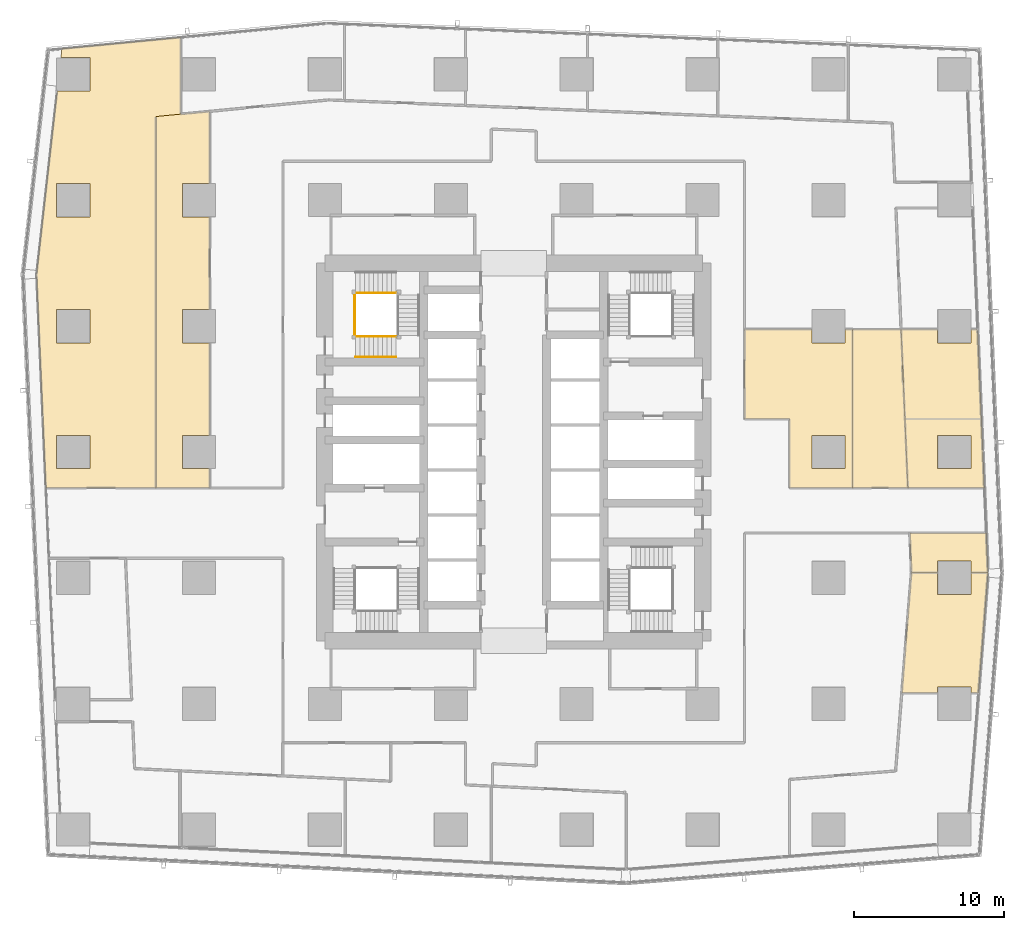
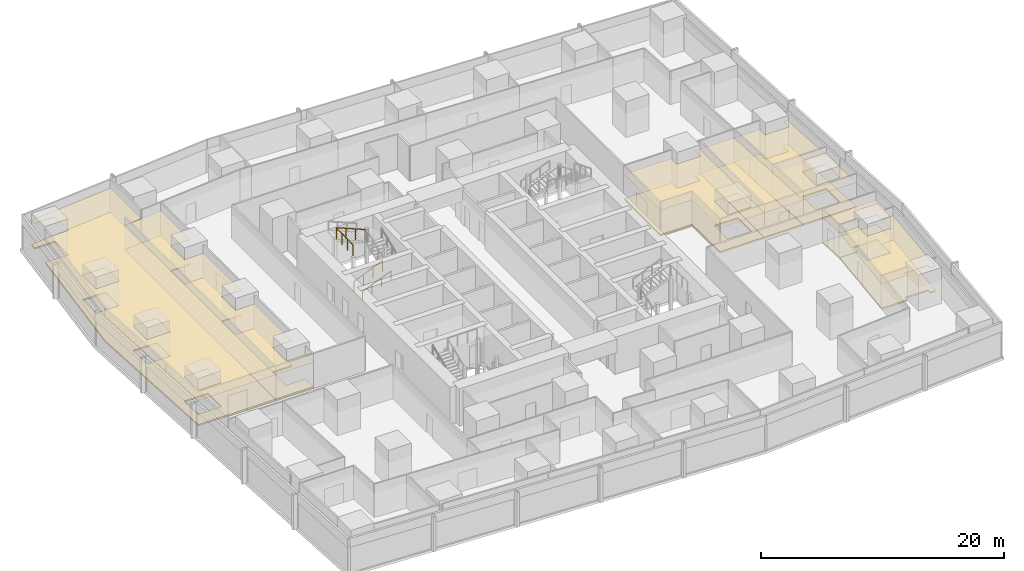
# One storey, part 40 of 44: 14 coverings, 4 railings.
"""IFC4 building model written with IfcOpenShell, lengths in metres."""

from ifc_helpers import new_model, si_unit, direction, frame, origin, origin_2d, place, context, subcontext, project, spatial, polyline, circle, outline, extrude, material, layer, layer_set, type_object, element, save


model = new_model("IFC4")

# Units and contexts
model_context = context("Model", 3, precision=1e-05, world=origin(), true_north=direction((0.0, 1.0)))
body_context = subcontext(model_context, "Body", "Model", "MODEL_VIEW")
ifc_project = project(units=[si_unit("LENGTHUNIT", "METRE"), si_unit("AREAUNIT", "SQUARE_METRE"), si_unit("VOLUMEUNIT", "CUBIC_METRE"), si_unit("PLANEANGLEUNIT", "RADIAN"), si_unit("MASSUNIT", "GRAM", prefix="KILO")], contexts=[model_context])

# Site, building, storey
site_placement = place(None, origin())
site = spatial("IfcSite", under=ifc_project, at=site_placement, CompositionType="ELEMENT")
building_placement = place(site_placement, origin())
building = spatial("IfcBuilding", under=site, at=building_placement, Name="Rekha Terrace Tower", CompositionType="ELEMENT")
storey_placement = place(building_placement, frame((0.0, 0.0, 62.89990234375)))
storey = spatial("IfcBuildingStorey", under=building, at=storey_placement, Name="L15", CompositionType="ELEMENT", Elevation=62.89990234375)

# Coverings
ifc_material_1 = material(Name="Mineral fibre tile in exposed grid", Category="finish")
ifc_layer_1 = layer(ifc_material_1, 0.02001953125)
ifc_layer_set_1 = layer_set([ifc_layer_1], Name="Mineral fibre tile in exposed grid")
covering_type_1 = type_object("IfcCoveringType", Name="CL1 600x1200 office grid ceiling", PredefinedType="CEILING", material=ifc_layer_set_1)
covering_1_placement = place(storey_placement, frame((0.0, 0.0, 2.580078125)))
element("IfcCovering", 1, at=covering_1_placement, inside=storey, type_object=covering_type_1, Name="Ceiling L15-04", PredefinedType="CEILING", context=body_context, shape_type="SweptSolid", body=[
    extrude(outline(polyline([(68.31494140625, 17.52392578125), (68.803955078125, 17.52392578125), (69.44091796875, 25.551025390625), (68.31494140625, 25.551025390625), (68.31494140625, 24.0849609375), (66.0849609375, 24.0849609375), (66.0849609375, 25.551025390625), (64.324951171875, 25.551025390625), (63.68798828125, 17.52392578125), (66.0849609375, 17.52392578125), (66.0849609375, 17.9150390625), (68.31494140625, 17.9150390625), (68.31494140625, 17.52392578125)])), origin(), (0.0, 0.0, 1.0), 0.02001953125),
])
covering_2_placement = place(storey_placement, frame((0.0, 0.0, 2.580078125)))
element("IfcCovering", 2, at=covering_2_placement, inside=storey, type_object=covering_type_1, Name="Ceiling L15-05", PredefinedType="CEILING", context=body_context, shape_type="SweptSolid", body=[
    extrude(outline(polyline([(69.43701171875, 25.552001953125), (69.322998046875, 28.199951171875), (64.218994140625, 28.199951171875), (64.33203125, 25.552001953125), (66.0849609375, 25.552001953125), (66.0849609375, 26.31494140625), (68.31494140625, 26.31494140625), (68.31494140625, 25.552001953125), (69.43701171875, 25.552001953125)])), origin(), (0.0, 0.0, 1.0), 0.02001953125),
])
covering_3_placement = place(storey_placement, frame((0.0, 0.0, 2.580078125)))
element("IfcCovering", 3, at=covering_3_placement, inside=storey, type_object=covering_type_1, Name="Ceiling L15-11", PredefinedType="CEILING", context=body_context, shape_type="SweptSolid", body=[
    extrude(outline(polyline([(69.195068359375, 31.199951171875), (68.9990234375, 35.797119140625), (68.742919921875, 41.781005859375), (68.31494140625, 41.781005859375), (68.31494140625, 40.885009765625), (66.0849609375, 40.885009765625), (66.0849609375, 41.781005859375), (63.638916015625, 41.781005859375), (63.89404296875, 35.797119140625), (64.091064453125, 31.199951171875), (69.195068359375, 31.199951171875)]), holes=[polyline([(68.31494140625, 32.485107421875), (66.0849609375, 32.485107421875), (66.0849609375, 34.715087890625), (68.31494140625, 34.715087890625), (68.31494140625, 32.485107421875)])]), origin(), (0.0, 0.0, 1.0), 0.02001953125),
])
covering_4_placement = place(storey_placement, frame((0.0, 0.0, 2.580078125)))
element("IfcCovering", 4, at=covering_4_placement, inside=storey, type_object=covering_type_1, Name="Ceiling L15-12", PredefinedType="CEILING", context=body_context, shape_type="SweptSolid", body=[
    extrude(outline(polyline([(57.68505859375, 40.885009765625), (57.68505859375, 41.781005859375), (53.199951171875, 41.781005859375), (53.199951171875, 35.800048828125), (56.199951171875, 35.800048828125), (56.199951171875, 31.199951171875), (60.39990234375, 31.199951171875), (60.39990234375, 41.781005859375), (59.9150390625, 41.781005859375), (59.9150390625, 40.885009765625), (57.68505859375, 40.885009765625)]), holes=[polyline([(59.9150390625, 32.485107421875), (57.68505859375, 32.485107421875), (57.68505859375, 34.715087890625), (59.9150390625, 34.715087890625), (59.9150390625, 32.485107421875)])]), origin(), (0.0, 0.0, 1.0), 0.02001953125),
])
covering_5_placement = place(storey_placement, frame((0.0, 0.0, 2.580078125)))
element("IfcCovering", 5, at=covering_5_placement, inside=storey, type_object=covering_type_1, Name="Ceiling L15-O2", PredefinedType="CEILING", context=body_context, shape_type="SweptSolid", body=[
    extrude(outline(polyline([(64.091064453125, 31.199951171875), (63.89404296875, 35.798095703125), (63.638916015625, 41.781005859375), (60.39990234375, 41.781005859375), (60.39990234375, 31.199951171875), (64.091064453125, 31.199951171875)])), origin(), (0.0, 0.0, 1.0), 0.02001953125),
])
covering_6_placement = place(storey_placement, frame((0.0, 0.0, 2.580078125)))
element("IfcCovering", 6, at=covering_6_placement, inside=storey, type_object=covering_type_1, Name="Ceiling L15-21", PredefinedType="CEILING", context=body_context, shape_type="SweptSolid", body=[
    extrude(outline(polyline([(7.337890625, 57.68505859375), (5.958984375, 45.412109375), (5.964111328125, 45.412109375), (6.385009765625, 35.798095703125), (6.5859375, 31.199951171875), (13.9169921875, 31.199951171875), (13.9169921875, 55.97998046875), (15.572021484375, 56.138916015625), (15.572021484375, 61.261962890625), (7.655029296875, 60.5009765625), (7.589111328125, 59.9150390625), (9.514892578125, 59.9150390625), (9.514892578125, 57.68505859375), (7.337890625, 57.68505859375)]), holes=[polyline([(9.514892578125, 32.485107421875), (7.284912109375, 32.485107421875), (7.284912109375, 34.715087890625), (9.514892578125, 34.715087890625), (9.514892578125, 32.485107421875)]), polyline([(9.514892578125, 40.885009765625), (7.284912109375, 40.885009765625), (7.284912109375, 43.114990234375), (9.514892578125, 43.114990234375), (9.514892578125, 40.885009765625)]), polyline([(9.514892578125, 51.514892578125), (9.514892578125, 49.284912109375), (7.284912109375, 49.284912109375), (7.284912109375, 51.514892578125), (9.514892578125, 51.514892578125)])]), origin(), (0.0, 0.0, 1.0), 0.02001953125),
])
covering_7_placement = place(storey_placement, frame((0.0, 0.0, 2.580078125)))
element("IfcCovering", 7, at=covering_7_placement, inside=storey, type_object=covering_type_1, Name="Ceiling L15-22", PredefinedType="CEILING", context=body_context, shape_type="SweptSolid", body=[
    extrude(outline(polyline([(17.51708984375, 56.325927734375), (15.824951171875, 56.1630859375), (13.9169921875, 55.97998046875), (13.9169921875, 31.199951171875), (17.51708984375, 31.199951171875), (17.51708984375, 32.485107421875), (15.68505859375, 32.485107421875), (15.68505859375, 34.715087890625), (17.51708984375, 34.715087890625), (17.51708984375, 40.885009765625), (15.68505859375, 40.885009765625), (15.68505859375, 43.114990234375), (17.51708984375, 43.114990234375), (17.51708984375, 49.284912109375), (15.68505859375, 49.284912109375), (15.68505859375, 51.514892578125), (17.51708984375, 51.514892578125), (17.51708984375, 56.325927734375)])), origin(), (0.0, 0.0, 1.0), 0.02001953125),
])

# Railings
ifc_material_2 = material(Name="Stainless steel balustrade", Category="steel")
railing_type_1 = type_object("IfcRailingType", Name="GR1 1100 stair guard", PredefinedType="GUARDRAIL", material=ifc_material_2)
railing_1_placement = place(storey_placement, frame((27.25, 41.31494140625, 0.125)))
element("IfcRailing", 8, at=railing_1_placement, inside=storey, type_object=railing_type_1, Name="Guard ST4 L15 flight 1", PredefinedType="GUARDRAIL", context=body_context, shape_type="SweptSolid", body=[
    extrude(circle(Radius=0.02392578125, at=origin_2d()), frame((0.0, 0.0, 1.076171875), z_axis=(0.923074453586, 0.0, 0.384621311341), x_axis=(0.0, 1.0, 0.0)), (0.0, 0.0, 1.0), 2.925048828125),
    extrude(circle(Radius=0.02099609375, at=origin_2d()), origin(), (0.0, 0.0, 1.0), 1.052001953125),
    extrude(circle(Radius=0.02099609375, at=origin_2d()), frame((0.89990234375, 0.0, 0.375)), (0.0, 0.0, 1.0), 1.052001953125),
    extrude(circle(Radius=0.02099609375, at=origin_2d()), frame((1.800048828125, 0.0, 0.75)), (0.0, 0.0, 1.0), 1.052001953125),
    extrude(circle(Radius=0.02099609375, at=origin_2d()), frame((2.699951171875, 0.0, 1.125)), (0.0, 0.0, 1.0), 1.052001953125),
])
railing_2_placement = place(storey_placement, frame((29.949951171875, 44.2099609375, 2.625)))
element("IfcRailing", 9, at=railing_2_placement, inside=storey, type_object=railing_type_1, Name="Guard ST4 L15 flight 3", PredefinedType="GUARDRAIL", context=body_context, shape_type="SweptSolid", body=[
    extrude(circle(Radius=0.02392578125, at=origin_2d()), frame((0.0, 0.0, 1.076171875), z_axis=(-0.923074453586, 0.0, 0.384621311341), x_axis=(0.0, -1.0, 0.0)), (0.0, 0.0, 1.0), 2.925048828125),
    extrude(circle(Radius=0.02099609375, at=origin_2d()), origin(), (0.0, 0.0, 1.0), 1.052001953125),
    extrude(circle(Radius=0.02099609375, at=origin_2d()), frame((-0.89990234375, 0.0, 0.375)), (0.0, 0.0, 1.0), 1.052001953125),
    extrude(circle(Radius=0.02099609375, at=origin_2d()), frame((-1.800048828125, 0.0, 0.75)), (0.0, 0.0, 1.0), 1.052001953125),
    extrude(circle(Radius=0.02099609375, at=origin_2d()), frame((-2.699951171875, 0.0, 1.125)), (0.0, 0.0, 1.0), 1.052001953125),
])
railing_3_placement = place(storey_placement, frame((27.18994140625, 41.375, 3.75)))
element("IfcRailing", 10, at=railing_3_placement, inside=storey, type_object=railing_type_1, Name="Guard ST4 L15 landing 4", PredefinedType="GUARDRAIL", context=body_context, shape_type="SweptSolid", body=[
    extrude(circle(Radius=0.02392578125, at=origin_2d()), frame((0.0, 0.0, 1.076171875), z_axis=(0.0, 1.0, 0.0), x_axis=(-1.0, 0.0, 0.0)), (0.0, 0.0, 1.0), 2.77490234375),
    extrude(circle(Radius=0.02099609375, at=origin_2d()), origin(), (0.0, 0.0, 1.0), 1.052001953125),
    extrude(circle(Radius=0.02099609375, at=origin_2d()), frame((0.0, 0.925048828125, 0.0)), (0.0, 0.0, 1.0), 1.052001953125),
    extrude(circle(Radius=0.02099609375, at=origin_2d()), frame((0.0, 1.849853515625, 0.0)), (0.0, 0.0, 1.0), 1.052001953125),
    extrude(circle(Radius=0.02099609375, at=origin_2d()), frame((0.0, 2.77490234375, 0.0)), (0.0, 0.0, 1.0), 1.052001953125),
])
ifc_material_3 = material(Name="Stainless steel tube", Category="steel")
railing_type_2 = type_object("IfcRailingType", Name="HR1 900 stair handrail", PredefinedType="HANDRAIL", material=ifc_material_3)
railing_4_placement = place(storey_placement, frame((27.25, 39.93505859375, 0.125)))
element("IfcRailing", 11, at=railing_4_placement, inside=storey, type_object=railing_type_2, Name="Handrail ST4 L15 flight 1", PredefinedType="HANDRAIL", context=body_context, shape_type="SweptSolid", body=[
    extrude(circle(Radius=0.02392578125, at=origin_2d()), frame((0.0, 0.0, 0.8759765625), z_axis=(0.923074453586, 0.0, 0.384621311341), x_axis=(0.0, 1.0, 0.0)), (0.0, 0.0, 1.0), 2.925048828125),
    extrude(circle(Radius=0.02099609375, at=origin_2d()), origin(), (0.0, 0.0, 1.0), 0.851806640625),
    extrude(circle(Radius=0.02099609375, at=origin_2d()), frame((0.89990234375, 0.0, 0.375)), (0.0, 0.0, 1.0), 0.851806640625),
    extrude(circle(Radius=0.02099609375, at=origin_2d()), frame((1.800048828125, 0.0, 0.75)), (0.0, 0.0, 1.0), 0.851806640625),
    extrude(circle(Radius=0.02099609375, at=origin_2d()), frame((2.699951171875, 0.0, 1.125)), (0.0, 0.0, 1.0), 0.851806640625),
])

# Coverings
ifc_material_4 = material(Name="Calcium sulphate panels on steel pedestals", Category="steel")
ifc_layer_2 = layer(ifc_material_4, 0.14990234375)
ifc_layer_set_2 = layer_set([ifc_layer_2], Name="Calcium sulphate panels on steel pedestals")
covering_type_2 = type_object("IfcCoveringType", Name="RF1 150 raised access floor", PredefinedType="FLOORING", material=ifc_layer_set_2)
covering_8_placement = place(storey_placement, origin())
element("IfcCovering", 12, at=covering_8_placement, inside=storey, type_object=covering_type_2, Name="Raised floor L15-04", PredefinedType="FLOORING", context=body_context, shape_type="SweptSolid", body=[
    extrude(outline(polyline([(68.31494140625, 17.52392578125), (68.803955078125, 17.52392578125), (69.44091796875, 25.551025390625), (68.31494140625, 25.551025390625), (68.31494140625, 24.0849609375), (66.0849609375, 24.0849609375), (66.0849609375, 25.551025390625), (64.324951171875, 25.551025390625), (63.68798828125, 17.52392578125), (66.0849609375, 17.52392578125), (66.0849609375, 17.9150390625), (68.31494140625, 17.9150390625), (68.31494140625, 17.52392578125)])), origin(), (0.0, 0.0, 1.0), 0.150146484375),
])
covering_9_placement = place(storey_placement, origin())
element("IfcCovering", 13, at=covering_9_placement, inside=storey, type_object=covering_type_2, Name="Raised floor L15-05", PredefinedType="FLOORING", context=body_context, shape_type="SweptSolid", body=[
    extrude(outline(polyline([(69.43701171875, 25.552001953125), (69.322998046875, 28.199951171875), (64.218994140625, 28.199951171875), (64.33203125, 25.552001953125), (66.0849609375, 25.552001953125), (66.0849609375, 26.31494140625), (68.31494140625, 26.31494140625), (68.31494140625, 25.552001953125), (69.43701171875, 25.552001953125)])), origin(), (0.0, 0.0, 1.0), 0.150146484375),
])
covering_10_placement = place(storey_placement, origin())
element("IfcCovering", 14, at=covering_10_placement, inside=storey, type_object=covering_type_2, Name="Raised floor L15-11", PredefinedType="FLOORING", context=body_context, shape_type="SweptSolid", body=[
    extrude(outline(polyline([(69.195068359375, 31.199951171875), (68.9990234375, 35.797119140625), (68.742919921875, 41.781005859375), (68.31494140625, 41.781005859375), (68.31494140625, 40.885009765625), (66.0849609375, 40.885009765625), (66.0849609375, 41.781005859375), (63.638916015625, 41.781005859375), (63.89404296875, 35.797119140625), (64.091064453125, 31.199951171875), (69.195068359375, 31.199951171875)]), holes=[polyline([(68.31494140625, 32.485107421875), (66.0849609375, 32.485107421875), (66.0849609375, 34.715087890625), (68.31494140625, 34.715087890625), (68.31494140625, 32.485107421875)])]), origin(), (0.0, 0.0, 1.0), 0.150146484375),
])
covering_11_placement = place(storey_placement, origin())
element("IfcCovering", 15, at=covering_11_placement, inside=storey, type_object=covering_type_2, Name="Raised floor L15-12", PredefinedType="FLOORING", context=body_context, shape_type="SweptSolid", body=[
    extrude(outline(polyline([(57.68505859375, 40.885009765625), (57.68505859375, 41.781005859375), (53.199951171875, 41.781005859375), (53.199951171875, 35.800048828125), (56.199951171875, 35.800048828125), (56.199951171875, 31.199951171875), (60.39990234375, 31.199951171875), (60.39990234375, 41.781005859375), (59.9150390625, 41.781005859375), (59.9150390625, 40.885009765625), (57.68505859375, 40.885009765625)]), holes=[polyline([(59.9150390625, 32.485107421875), (57.68505859375, 32.485107421875), (57.68505859375, 34.715087890625), (59.9150390625, 34.715087890625), (59.9150390625, 32.485107421875)])]), origin(), (0.0, 0.0, 1.0), 0.150146484375),
])
covering_12_placement = place(storey_placement, origin())
element("IfcCovering", 16, at=covering_12_placement, inside=storey, type_object=covering_type_2, Name="Raised floor L15-O2", PredefinedType="FLOORING", context=body_context, shape_type="SweptSolid", body=[
    extrude(outline(polyline([(64.091064453125, 31.199951171875), (63.89404296875, 35.798095703125), (63.638916015625, 41.781005859375), (60.39990234375, 41.781005859375), (60.39990234375, 31.199951171875), (64.091064453125, 31.199951171875)])), origin(), (0.0, 0.0, 1.0), 0.150146484375),
])
covering_13_placement = place(storey_placement, origin())
element("IfcCovering", 17, at=covering_13_placement, inside=storey, type_object=covering_type_2, Name="Raised floor L15-21", PredefinedType="FLOORING", context=body_context, shape_type="SweptSolid", body=[
    extrude(outline(polyline([(7.337890625, 57.68505859375), (5.958984375, 45.412109375), (5.964111328125, 45.412109375), (6.385009765625, 35.798095703125), (6.5859375, 31.199951171875), (13.9169921875, 31.199951171875), (13.9169921875, 55.97998046875), (15.572021484375, 56.138916015625), (15.572021484375, 61.261962890625), (7.655029296875, 60.5009765625), (7.589111328125, 59.9150390625), (9.514892578125, 59.9150390625), (9.514892578125, 57.68505859375), (7.337890625, 57.68505859375)]), holes=[polyline([(9.514892578125, 32.485107421875), (7.284912109375, 32.485107421875), (7.284912109375, 34.715087890625), (9.514892578125, 34.715087890625), (9.514892578125, 32.485107421875)]), polyline([(9.514892578125, 40.885009765625), (7.284912109375, 40.885009765625), (7.284912109375, 43.114990234375), (9.514892578125, 43.114990234375), (9.514892578125, 40.885009765625)]), polyline([(9.514892578125, 51.514892578125), (9.514892578125, 49.284912109375), (7.284912109375, 49.284912109375), (7.284912109375, 51.514892578125), (9.514892578125, 51.514892578125)])]), origin(), (0.0, 0.0, 1.0), 0.150146484375),
])
covering_14_placement = place(storey_placement, origin())
element("IfcCovering", 18, at=covering_14_placement, inside=storey, type_object=covering_type_2, Name="Raised floor L15-22", PredefinedType="FLOORING", context=body_context, shape_type="SweptSolid", body=[
    extrude(outline(polyline([(17.51708984375, 56.325927734375), (15.824951171875, 56.1630859375), (13.9169921875, 55.97998046875), (13.9169921875, 31.199951171875), (17.51708984375, 31.199951171875), (17.51708984375, 32.485107421875), (15.68505859375, 32.485107421875), (15.68505859375, 34.715087890625), (17.51708984375, 34.715087890625), (17.51708984375, 40.885009765625), (15.68505859375, 40.885009765625), (15.68505859375, 43.114990234375), (17.51708984375, 43.114990234375), (17.51708984375, 49.284912109375), (15.68505859375, 49.284912109375), (15.68505859375, 51.514892578125), (17.51708984375, 51.514892578125), (17.51708984375, 56.325927734375)])), origin(), (0.0, 0.0, 1.0), 0.150146484375),
])

save(model, "model.ifc")
